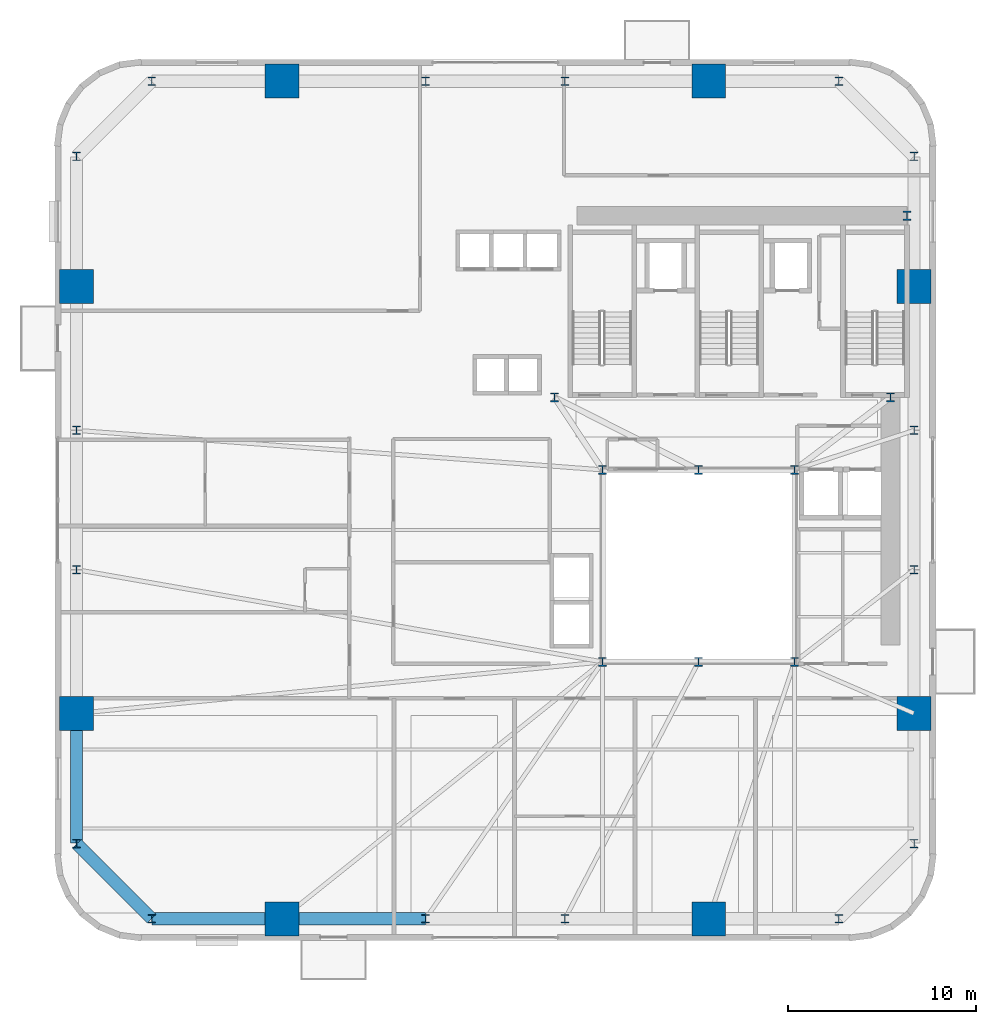
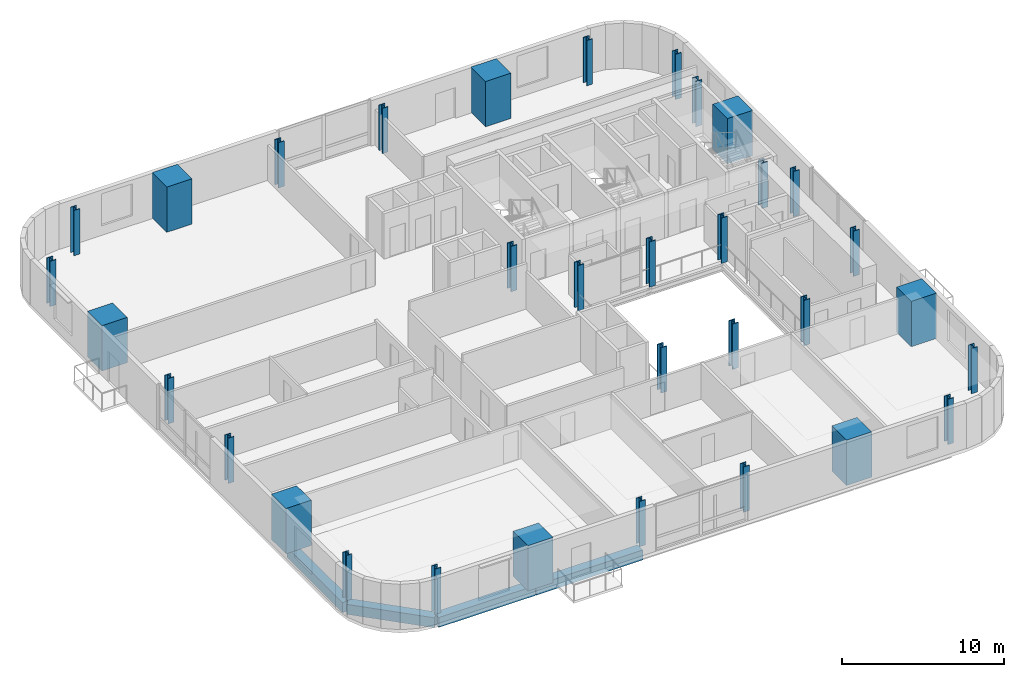
# One storey, part 1 of 13: 33 columns, 4 beams.
"""IFC4 building model written with IfcOpenShell, lengths in metres."""

import ifcopenshell
import ifcopenshell.guid

model = None  # the IFC model being written
_history = None  # IfcOwnerHistory: only IFC2X3 demands one
_inside = {}  # id of a spatial element -> (the spatial element, [elements in it])
_under = {}  # id of a project, library or spatial element -> (it, [spatial elements below it])
_declared = {}  # id of a project -> (the project, [libraries it declares])
_typed = {}  # id of a type object -> (the type object, [elements of that type])
_made_of = {}  # id of a material, layer set ... -> (it, [elements and type objects made of it])


def new_model(schema):
    """Start an empty IFC model of exactly this schema.

    Asked for "IFC4X3", IfcOpenShell would pick the latest addendum, in which some entities
    have other attributes; the version numbers below select the first issue.
    IFC2X3 requires an IfcOwnerHistory on every rooted entity: one is made here for all.
    """
    global model, _history
    if schema == "IFC4X3":
        model = ifcopenshell.file(schema_version=(4, 3, 0, 0))
    else:
        model = ifcopenshell.file(schema=schema)
    _inside.clear()
    _under.clear()
    _declared.clear()
    _typed.clear()
    _made_of.clear()
    _history = None
    if model.schema == "IFC2X3":
        org = make("IfcOrganization", Name="unknown")
        user = make(
            "IfcPersonAndOrganization",
            ThePerson=make("IfcPerson", FamilyName="unknown"),
            TheOrganization=org,
        )
        app = make(
            "IfcApplication",
            ApplicationDeveloper=org,
            Version="unknown",
            ApplicationFullName="unknown",
            ApplicationIdentifier="unknown",
        )
        _history = make(
            "IfcOwnerHistory",
            OwningUser=user,
            OwningApplication=app,
            ChangeAction="ADDED",
            CreationDate=0,
        )
    return model


def make(cls, **values):
    """One entity of the class cls with the attributes given. An attribute that is None is left unset."""
    return model.create_entity(
        cls, **{name: value for name, value in values.items() if value is not None}
    )


def rooted(cls, **values):
    """An entity with a GlobalId (a new one), such as an element, a storey or a relation."""
    return make(cls, GlobalId=ifcopenshell.guid.new(), OwnerHistory=_history, **values)


def si_unit(unit_type, name, prefix=None):
    """IfcSIUnit, for example si_unit("LENGTHUNIT", "METRE", prefix="MILLI")."""
    return make("IfcSIUnit", UnitType=unit_type, Prefix=prefix, Name=name)


def assignment(units):
    """IfcUnitAssignment: the units of a project."""
    return None if units is None else make("IfcUnitAssignment", Units=units)


def point(xyz):
    """IfcCartesianPoint."""
    return None if xyz is None else make("IfcCartesianPoint", Coordinates=xyz)


def direction(xyz):
    """IfcDirection."""
    return None if xyz is None else make("IfcDirection", DirectionRatios=xyz)


def frame(location, z_axis=None, x_axis=None):
    """IfcAxis2Placement3D, a coordinate frame: its origin and axes. An axis left out is left unset."""
    return make(
        "IfcAxis2Placement3D",
        Location=point(location),
        Axis=direction(z_axis),
        RefDirection=direction(x_axis),
    )


def frame_2d(location, x_axis=None):
    """IfcAxis2Placement2D, a coordinate frame in the plane: its origin and x axis."""
    return make(
        "IfcAxis2Placement2D", Location=point(location), RefDirection=direction(x_axis)
    )


def origin():
    """The frame at (0, 0, 0) with its axes left unset."""
    return frame((0.0, 0.0, 0.0))


def origin_2d():
    """The frame at (0, 0) in the plane with its x axis left unset."""
    return frame_2d((0.0, 0.0))


def place(relative_to, where):
    """IfcLocalPlacement: puts the frame where relative to a parent placement (None: the world)."""
    return make(
        "IfcLocalPlacement", PlacementRelTo=relative_to, RelativePlacement=where
    )


def context(
    kind, dimensions, precision=None, world=None, true_north=None, identifier=None
):
    """IfcGeometricRepresentationContext, for example the 3D "Model" context."""
    return make(
        "IfcGeometricRepresentationContext",
        ContextIdentifier=identifier,
        ContextType=kind,
        CoordinateSpaceDimension=dimensions,
        Precision=precision,
        WorldCoordinateSystem=world,
        TrueNorth=true_north,
    )


def subcontext(parent, identifier, kind, view, scale=None):
    """IfcGeometricRepresentationSubContext, for example "Body" below "Model"."""
    return make(
        "IfcGeometricRepresentationSubContext",
        ContextIdentifier=identifier,
        ContextType=kind,
        ParentContext=parent,
        TargetScale=scale,
        TargetView=view,
    )


def project(units=None, contexts=None):
    """IfcProject with its units and contexts."""
    return rooted(
        "IfcProject",
        Name="project",
        RepresentationContexts=contexts,
        UnitsInContext=assignment(units),
    )


def spatial(cls, under=None, at=None, **own):
    """A site, building, storey or space (cls), placed at a placement, below another one or the project."""
    s = rooted(cls, ObjectPlacement=at, **own)
    if under is not None:
        _under.setdefault(under.id(), (under, []))[1].append(s)
    return s


def profile(cls, at=None, kind="AREA", **sizes):
    """A parametric profile (cls). Its sizes go by their IFC names, for example OverallWidth=200.0."""
    return make(cls, ProfileType=kind, Position=at, **sizes)


def rectangle(**sizes):
    """IfcRectangleProfileDef."""
    return profile("IfcRectangleProfileDef", **sizes)


def i_section(**sizes):
    """IfcIShapeProfileDef."""
    return profile("IfcIShapeProfileDef", **sizes)


def extrude(swept, where, along, depth):
    """IfcExtrudedAreaSolid: the profile swept, set in the frame where, extruded along a direction by depth."""
    return make(
        "IfcExtrudedAreaSolid",
        SweptArea=swept,
        Position=where,
        ExtrudedDirection=direction(along),
        Depth=depth,
    )


def shape(context_of_items, identifier, shape_type, items):
    """IfcShapeRepresentation: the items that make up one representation, for example the "Body"."""
    return make(
        "IfcShapeRepresentation",
        ContextOfItems=context_of_items,
        RepresentationIdentifier=identifier,
        RepresentationType=shape_type,
        Items=items,
    )


def source(mapping_origin, context_of_items, identifier, shape_type, items):
    """IfcRepresentationMap: a shape defined once, which mapped items show again and again."""
    return make(
        "IfcRepresentationMap",
        MappingOrigin=mapping_origin,
        MappedRepresentation=shape(context_of_items, identifier, shape_type, items),
    )


def transform(
    local_origin,
    x_axis=None,
    y_axis=None,
    z_axis=None,
    scale=None,
    scale2=None,
    scale3=None,
    uniform=True,
):
    """IfcCartesianTransformationOperator3D, or its non-uniform kind. x_axis, y_axis, z_axis: its Axis1, 2, 3."""
    if uniform:
        return make(
            "IfcCartesianTransformationOperator3D",
            Axis1=direction(x_axis),
            Axis2=direction(y_axis),
            LocalOrigin=point(local_origin),
            Scale=scale,
            Axis3=direction(z_axis),
        )
    return make(
        "IfcCartesianTransformationOperator3DnonUniform",
        Axis1=direction(x_axis),
        Axis2=direction(y_axis),
        LocalOrigin=point(local_origin),
        Scale=scale,
        Axis3=direction(z_axis),
        Scale2=scale2,
        Scale3=scale3,
    )


def mapped(mapping_source, mapping_target):
    """IfcMappedItem: shows the shape of a source again, moved by a transform."""
    return make(
        "IfcMappedItem", MappingSource=mapping_source, MappingTarget=mapping_target
    )


def material(Name=None, Category=None):
    """IfcMaterial."""
    return make("IfcMaterial", Name=Name, Category=Category)


def material_profile(
    of_material, cross_section, Name=None, Category=None, Priority=None
):
    """IfcMaterialProfile: a cross section and its material."""
    return make(
        "IfcMaterialProfile",
        Name=Name,
        Material=of_material,
        Profile=cross_section,
        Priority=Priority,
        Category=Category,
    )


def profile_set(profiles, Name=None, composite=None):
    """IfcMaterialProfileSet."""
    return make(
        "IfcMaterialProfileSet",
        Name=Name,
        MaterialProfiles=profiles,
        CompositeProfile=composite,
    )


def made_of(thing, what):
    """Note that an element or type object is made of a material, layer set ...; save() writes the relation."""
    if what is not None:
        _made_of.setdefault(what.id(), (what, []))[1].append(thing)
    return thing


def type_object(cls, material=None, **own):
    """A type object (cls), such as IfcWallType, which elements share."""
    return made_of(rooted(cls, **own), material)


def element(
    cls,
    number,
    at=None,
    inside=None,
    cuts=None,
    type_object=None,
    material=None,
    context=None,
    identifier="Body",
    shape_type=None,
    held_by="IfcProductDefinitionShape",
    body=None,
    shapes=None,
    **own,
):
    """One element of the class cls, such as IfcWall. Its Tag is "e" and its number.

    at: its placement. inside: the storey or other place that contains it. cuts: it is an
    opening in that element (IfcRelVoidsElement). A single representation is given by context,
    identifier, shape_type and body (its items); several are given by shapes. held_by: the class
    of the entity that holds the representations. save() writes the other relations.
    """
    e = rooted(cls, Tag="e%d" % number, ObjectPlacement=at, **own)
    if body is not None:
        shapes = [shape(context, identifier, shape_type, body)]
    if shapes is not None:
        e.Representation = make(held_by, Representations=shapes)
    if inside is not None:
        _inside.setdefault(inside.id(), (inside, []))[1].append(e)
    if cuts is not None:
        rooted(
            "IfcRelVoidsElement", RelatingBuildingElement=cuts, RelatedOpeningElement=e
        )
    if type_object is not None:
        _typed.setdefault(type_object.id(), (type_object, []))[1].append(e)
    return made_of(e, material)


def aggregate(whole, parts):
    """IfcRelAggregates: a whole, such as a stair, and the parts it consists of."""
    return rooted("IfcRelAggregates", RelatingObject=whole, RelatedObjects=parts)


def save(model, path):
    """Write the relations noted so far, then the file.

    IfcRelAggregates (storeys below a building ...), IfcRelContainedInSpatialStructure (elements
    in a storey), IfcRelDefinesByType, IfcRelAssociatesMaterial and IfcRelDeclares: one each for
    every whole, place, type object, material and project.
    """
    for whole, parts in _under.values():
        aggregate(whole, parts)
    for where, things in _inside.values():
        rooted(
            "IfcRelContainedInSpatialStructure",
            RelatedElements=things,
            RelatingStructure=where,
        )
    for kind, things in _typed.values():
        rooted("IfcRelDefinesByType", RelatedObjects=things, RelatingType=kind)
    for what, things in _made_of.values():
        rooted("IfcRelAssociatesMaterial", RelatedObjects=things, RelatingMaterial=what)
    for by, libraries in _declared.values():
        rooted("IfcRelDeclares", RelatingContext=by, RelatedDefinitions=libraries)
    model.write(path)


model = new_model("IFC4")

# Units and contexts
model_context = context("Model", 3, precision=1e-05, world=origin(), true_north=direction((0.0, 1.0)))
body_context = subcontext(model_context, "Body", "Model", "MODEL_VIEW")
ifc_project = project(units=[si_unit("LENGTHUNIT", "METRE"), si_unit("AREAUNIT", "SQUARE_METRE"), si_unit("VOLUMEUNIT", "CUBIC_METRE"), si_unit("PLANEANGLEUNIT", "RADIAN"), si_unit("MASSUNIT", "GRAM", prefix="KILO")], contexts=[model_context])

# Site, building, storey
site_placement = place(None, origin())
site = spatial("IfcSite", under=ifc_project, at=site_placement, CompositionType="ELEMENT")
building_placement = place(site_placement, origin())
building = spatial("IfcBuilding", under=site, at=building_placement, Name="Vardaveli Station Tower", CompositionType="ELEMENT")
storey_placement = place(building_placement, frame((0.0, 0.0, 31.25)))
storey = spatial("IfcBuildingStorey", under=building, at=storey_placement, Name="L07", CompositionType="ELEMENT", Elevation=31.25)

# Columns
ifc_material_1 = material(Name="Structural steel S460M", Category="steel")
ifc_material_profile_1 = material_profile(ifc_material_1, i_section(OverallWidth=0.427978515625, OverallDepth=0.48095703125, WebThickness=0.03955078125, FlangeThickness=0.0634765625, FilletRadius=0.014892578125, at=origin_2d()), Name="HD 400x677")
ifc_profile_set_1 = profile_set([ifc_material_profile_1], Name="Structural steel S460M")
column_type_1 = type_object("IfcColumnType", Name="COL-HD677", PredefinedType="COLUMN", material=ifc_profile_set_1)
shared_shape_1 = source(origin(), body_context, "Body", "SweptSolid", [
    extrude(i_section(OverallWidth=0.427978515625, OverallDepth=0.48095703125, WebThickness=0.03955078125, FlangeThickness=0.0634765625, FilletRadius=0.014892578125, at=origin_2d()), origin(), (0.0, 0.0, 1.0), 3.409912109375),
])
for number, where, z_axis, x_axis, name in (
    (1, (31.199951171875, 16.60009765625, 0.0), (0.0, 0.0, 1.0), (1.0, 0.0, 0.0), "COL-L07-AC1"),
    (2, (36.300048828125, 16.60009765625, 0.0), (0.0, 0.0, 1.0), (1.0, 0.0, 0.0), "COL-L07-AC2"),
    (3, (41.39990234375, 16.60009765625, 0.0), (0.0, 0.0, 1.0), (1.0, 0.0, 0.0), "COL-L07-AC3"),
    (4, (41.39990234375, 26.800048828125, 0.0), (0.0, 0.0, 1.0), (1.0, 0.0, 0.0), "COL-L07-AC4"),
    (5, (36.300048828125, 26.800048828125, 0.0), (0.0, 0.0, 1.0), (1.0, 0.0, 0.0), "COL-L07-AC5"),
    (6, (31.199951171875, 26.800048828125, 0.0), (0.0, 0.0, 1.0), (1.0, 0.0, 0.0), "COL-L07-AC6"),
    (7, (28.64990234375, 30.64990234375, 0.0), (0.0, 0.0, 1.0), (1.0, 0.0, 0.0), "COL-L07-CC1"),
    (8, (46.5, 30.64990234375, 0.0), (0.0, 0.0, 1.0), (1.0, 0.0, 0.0), "COL-L07-CC2"),
    (9, (47.3701171875, 40.300048828125, 0.0), (0.0, 0.0, 1.0), (1.0, 0.0, 0.0), "COL-L07-CC3"),
):
    element("IfcColumn", number, at=place(storey_placement, frame(where, z_axis=z_axis, x_axis=x_axis)), inside=storey, type_object=column_type_1, Name=name, PredefinedType="COLUMN", context=body_context, shape_type="MappedRepresentation", body=[
        mapped(shared_shape_1, transform((0.0, 0.0, 0.0), scale=1.0)),
    ])
ifc_material_2 = material(Name="Concrete C70/85", Category="concrete")
ifc_material_profile_2 = material_profile(ifc_material_2, rectangle(XDim=1.800048828125, YDim=1.800048828125, at=origin_2d()), Name="MC 1800x1800")
ifc_profile_set_2 = profile_set([ifc_material_profile_2], Name="Concrete C70/85")
column_type_2 = type_object("IfcColumnType", Name="COL-MC-1800", PredefinedType="COLUMN", material=ifc_profile_set_2)
shared_shape_2 = source(origin(), body_context, "Body", "SweptSolid", [
    extrude(rectangle(XDim=1.800048828125, YDim=1.800048828125, at=origin_2d()), origin(), (0.0, 0.0, 1.0), 3.409912109375),
])
for number, where, z_axis, x_axis, name in (
    (10, (14.159912109375, 2.949951171875, 0.0), (0.0, 0.0, 1.0), (1.0, 0.0, 0.0), "COL-L07-MC1"),
    (11, (36.840087890625, 2.949951171875, 0.0), (0.0, 0.0, 1.0), (1.0, 0.0, 0.0), "COL-L07-MC2"),
    (12, (47.75, 13.860107421875, 0.0), (0.0, 0.0, 1.0), (1.0, 0.0, 0.0), "COL-L07-MC3"),
    (13, (47.75, 36.5400390625, 0.0), (0.0, 0.0, 1.0), (1.0, 0.0, 0.0), "COL-L07-MC4"),
    (14, (36.840087890625, 47.449951171875, 0.0), (0.0, 0.0, 1.0), (1.0, 0.0, 0.0), "COL-L07-MC5"),
    (15, (14.159912109375, 47.449951171875, 0.0), (0.0, 0.0, 1.0), (1.0, 0.0, 0.0), "COL-L07-MC6"),
    (16, (3.25, 36.5400390625, 0.0), (0.0, 0.0, 1.0), (1.0, 0.0, 0.0), "COL-L07-MC7"),
    (17, (3.25, 13.860107421875, 0.0), (0.0, 0.0, 1.0), (1.0, 0.0, 0.0), "COL-L07-MC8"),
):
    element("IfcColumn", number, at=place(storey_placement, frame(where, z_axis=z_axis, x_axis=x_axis)), inside=storey, type_object=column_type_2, Name=name, PredefinedType="COLUMN", context=body_context, shape_type="MappedRepresentation", body=[
        mapped(shared_shape_2, transform((0.0, 0.0, 0.0), scale=1.0)),
    ])
ifc_material_profile_3 = material_profile(ifc_material_1, i_section(OverallWidth=0.4189453125, OverallDepth=0.448974609375, WebThickness=0.030517578125, FlangeThickness=0.04833984375, FilletRadius=0.014892578125, at=origin_2d()), Name="HD 400x509")
ifc_profile_set_3 = profile_set([ifc_material_profile_3], Name="Structural steel S460M")
column_type_3 = type_object("IfcColumnType", Name="COL-HD509", PredefinedType="COLUMN", material=ifc_profile_set_3)
shared_shape_3 = source(origin(), body_context, "Body", "SweptSolid", [
    extrude(i_section(OverallWidth=0.4189453125, OverallDepth=0.448974609375, WebThickness=0.030517578125, FlangeThickness=0.04833984375, FilletRadius=0.014892578125, at=origin_2d()), origin(), (0.0, 0.0, 1.0), 3.409912109375),
])
for number, where, z_axis, x_axis, name in (
    (18, (7.25, 2.949951171875, 0.0), (0.0, 0.0, 1.0), (1.0, 0.0, 0.0), "COL-L07-PC01"),
    (19, (21.800048828125, 2.949951171875, 0.0), (0.0, 0.0, 1.0), (1.0, 0.0, 0.0), "COL-L07-PC02"),
    (20, (29.199951171875, 2.949951171875, 0.0), (0.0, 0.0, 1.0), (1.0, 0.0, 0.0), "COL-L07-PC03"),
    (21, (43.75, 2.949951171875, 0.0), (0.0, 0.0, 1.0), (1.0, 0.0, 0.0), "COL-L07-PC04"),
    (22, (47.75, 6.949951171875, 0.0), (0.0, 0.0, 1.0), (1.0, 0.0, 0.0), "COL-L07-PC05"),
    (23, (47.75, 21.5, 0.0), (0.0, 0.0, 1.0), (1.0, 0.0, 0.0), "COL-L07-PC06"),
    (24, (47.75, 28.89990234375, 0.0), (0.0, 0.0, 1.0), (1.0, 0.0, 0.0), "COL-L07-PC07"),
    (25, (47.75, 43.449951171875, 0.0), (0.0, 0.0, 1.0), (1.0, 0.0, 0.0), "COL-L07-PC08"),
    (26, (43.75, 47.449951171875, 0.0), (0.0, 0.0, 1.0), (1.0, 0.0, 0.0), "COL-L07-PC09"),
    (27, (29.199951171875, 47.449951171875, 0.0), (0.0, 0.0, 1.0), (1.0, 0.0, 0.0), "COL-L07-PC10"),
    (28, (21.800048828125, 47.449951171875, 0.0), (0.0, 0.0, 1.0), (1.0, 0.0, 0.0), "COL-L07-PC11"),
    (29, (7.25, 47.449951171875, 0.0), (0.0, 0.0, 1.0), (1.0, 0.0, 0.0), "COL-L07-PC12"),
    (30, (3.25, 43.449951171875, 0.0), (0.0, 0.0, 1.0), (1.0, 0.0, 0.0), "COL-L07-PC13"),
    (31, (3.25, 28.89990234375, 0.0), (0.0, 0.0, 1.0), (1.0, 0.0, 0.0), "COL-L07-PC14"),
    (32, (3.25, 21.5, 0.0), (0.0, 0.0, 1.0), (1.0, 0.0, 0.0), "COL-L07-PC15"),
    (33, (3.25, 6.949951171875, 0.0), (0.0, 0.0, 1.0), (1.0, 0.0, 0.0), "COL-L07-PC16"),
):
    element("IfcColumn", number, at=place(storey_placement, frame(where, z_axis=z_axis, x_axis=x_axis)), inside=storey, type_object=column_type_3, Name=name, PredefinedType="COLUMN", context=body_context, shape_type="MappedRepresentation", body=[
        mapped(shared_shape_3, transform((0.0, 0.0, 0.0), scale=1.0)),
    ])

# Beams
ifc_material_3 = material(Name="Precast concrete C45/55", Category="concrete")
ifc_material_profile_4 = material_profile(ifc_material_3, rectangle(XDim=0.64990234375, YDim=0.75, at=origin_2d()), Name="LPB 650x750")
ifc_profile_set_4 = profile_set([ifc_material_profile_4], Name="Precast concrete C45/55")
beam_type = type_object("IfcBeamType", Name="BM-LPB-750", PredefinedType="BEAM", material=ifc_profile_set_4)
shared_shape_4 = source(origin(), body_context, "Body", "SweptSolid", [
    extrude(rectangle(XDim=0.64990234375, YDim=0.75, at=origin_2d()), origin(), (0.0, 0.0, 1.0), 7.60009765625),
])
beam_1_placement = place(storey_placement, frame((14.179931640625, 2.949951171875, -0.614990234375), z_axis=(1.0, 0.0, 0.0), x_axis=(0.0, 1.0, 0.0)))
element("IfcBeam", 34, at=beam_1_placement, inside=storey, type_object=beam_type, Name="RBM-L07-01", PredefinedType="BEAM", context=body_context, shape_type="MappedRepresentation", body=[
    mapped(shared_shape_4, transform((0.0, 0.0, 0.0), scale=1.0)),
])
shared_shape_5 = source(origin(), body_context, "Body", "SweptSolid", [
    extrude(rectangle(XDim=0.64990234375, YDim=0.75, at=origin_2d()), origin(), (0.0, 0.0, 1.0), 6.869873046875),
])
beam_2_placement = place(storey_placement, frame((7.27001953125, 2.949951171875, -0.614990234375), z_axis=(1.0, 0.0, 0.0), x_axis=(0.0, 1.0, 0.0)))
element("IfcBeam", 35, at=beam_2_placement, inside=storey, type_object=beam_type, Name="RBM-L07-24", PredefinedType="BEAM", context=body_context, shape_type="MappedRepresentation", body=[
    mapped(shared_shape_5, transform((0.0, 0.0, 0.0), scale=1.0)),
])
shared_shape_6 = source(origin(), body_context, "Body", "SweptSolid", [
    extrude(rectangle(XDim=0.64990234375, YDim=0.75, at=origin_2d()), origin(), (0.0, 0.0, 1.0), 5.61669921875),
])
beam_3_placement = place(storey_placement, frame((3.26416015625, 6.935791015625, -0.614990234375), z_axis=(0.707106781187, -0.707106781187, 0.0), x_axis=(0.707106781187, 0.707106781187, 0.0)))
element("IfcBeam", 36, at=beam_3_placement, inside=storey, type_object=beam_type, Name="RBM-L07-23", PredefinedType="BEAM", context=body_context, shape_type="MappedRepresentation", body=[
    mapped(shared_shape_6, transform((0.0, 0.0, 0.0), scale=1.0)),
])
shared_shape_7 = source(origin(), body_context, "Body", "SweptSolid", [
    extrude(rectangle(XDim=0.64990234375, YDim=0.75, at=origin_2d()), origin(), (0.0, 0.0, 1.0), 6.8701171875),
])
beam_4_placement = place(storey_placement, frame((3.25, 13.840087890625, -0.614990234375), z_axis=(0.0, -1.0, 0.0), x_axis=(1.0, 0.0, 0.0)))
element("IfcBeam", 37, at=beam_4_placement, inside=storey, type_object=beam_type, Name="RBM-L07-22", PredefinedType="BEAM", context=body_context, shape_type="MappedRepresentation", body=[
    mapped(shared_shape_7, transform((0.0, 0.0, 0.0), scale=1.0)),
])

save(model, "model.ifc")
